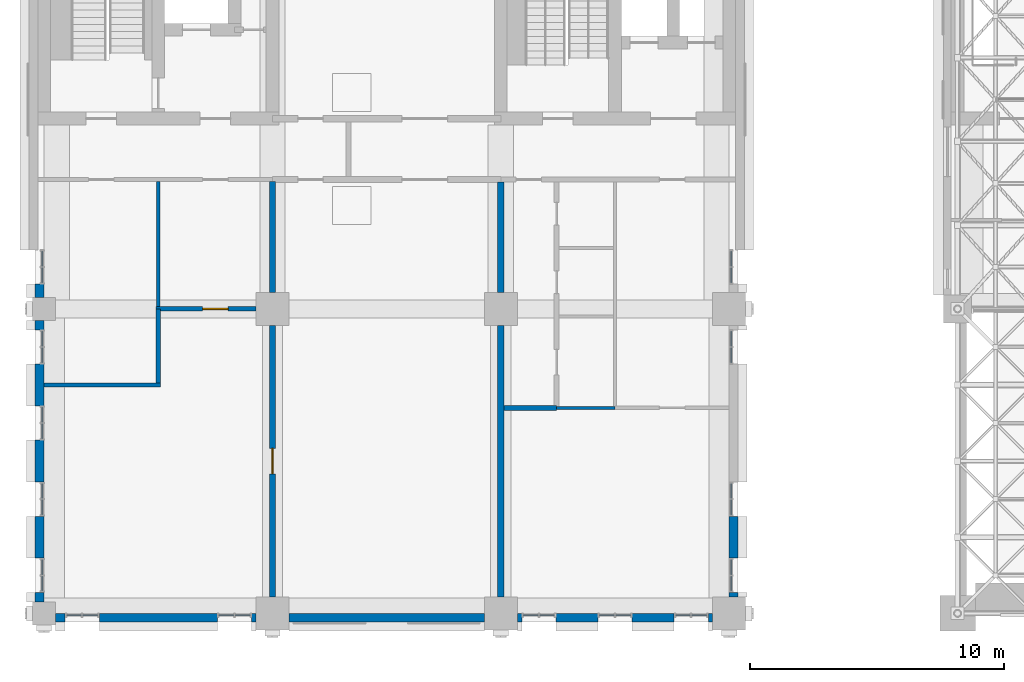
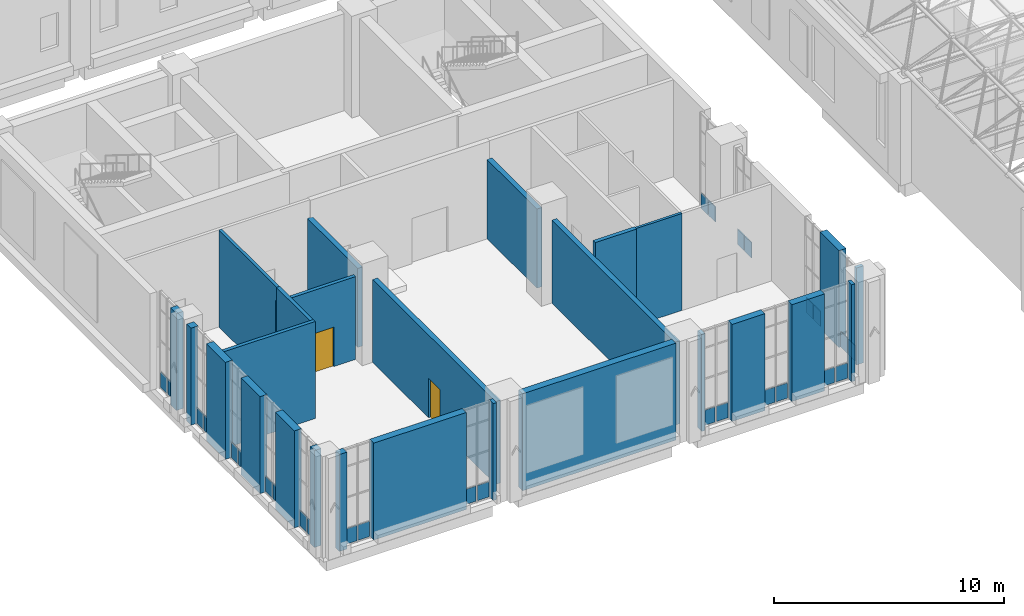
# One storey, part 25 of 53: 28 plates, 26 walls, 2 doors, 2 openings, 14 elements without a shape of their own.
"""IFC4 building model written with IfcOpenShell, lengths in metres."""

from ifc_helpers import new_model, si_unit, direction, frame, frame_2d, origin, origin_2d, place, context, subcontext, project, spatial, rectangle, extrude, material, layer, layer_set, type_object, element, fill, aggregate, save


model = new_model("IFC4")

# Units and contexts
model_context = context("Model", 3, precision=1e-05, world=origin(), true_north=direction((0.0, 1.0)))
body_context = subcontext(model_context, "Body", "Model", "MODEL_VIEW")
ifc_project = project(units=[si_unit("LENGTHUNIT", "METRE"), si_unit("AREAUNIT", "SQUARE_METRE"), si_unit("VOLUMEUNIT", "CUBIC_METRE"), si_unit("PLANEANGLEUNIT", "RADIAN"), si_unit("MASSUNIT", "GRAM", prefix="KILO")], contexts=[model_context])

# Site, building, storey
site_placement = place(None, origin())
site = spatial("IfcSite", under=ifc_project, at=site_placement, CompositionType="ELEMENT")
building_placement = place(site_placement, origin())
building = spatial("IfcBuilding", under=site, at=building_placement, Name="Aurelan Courthouse", CompositionType="ELEMENT")
storey_placement = place(building_placement, frame((0.0, 0.0, 12.0)))
storey = spatial("IfcBuildingStorey", under=building, at=storey_placement, Name="L02", CompositionType="ELEMENT", Elevation=12.0)

# Curtain wall, plates
ifc_material_1 = material(Name="Bronze-finished aluminium and glass", Category="aluminium")
ifc_layer_1 = layer(ifc_material_1, 0.14990234375)
ifc_layer_set_1 = layer_set([ifc_layer_1], Name="Bronze-finished aluminium and glass")
curtain_wall_type = type_object("IfcCurtainWallType", Name="Curtain wall 1350 x 5150", PredefinedType="NOTDEFINED", material=ifc_layer_set_1)
curtain_wall_1_placement = place(storey_placement, origin())
curtain_wall_1 = element("IfcCurtainWall", 1, at=curtain_wall_1_placement, inside=storey, type_object=curtain_wall_type, Name="Curtain wall CW-V5-L02-S01", PredefinedType="NOTDEFINED")
ifc_material_2 = material(Name="Bronze-finished aluminium", Category="aluminium")
ifc_layer_2 = layer(ifc_material_2, 0.0400390625)
ifc_layer_set_2 = layer_set([ifc_layer_2], Name="Bronze-finished aluminium")
plate_type = type_object("IfcPlateType", Name="Sill panel 40", PredefinedType="CURTAIN_PANEL", material=ifc_layer_set_2)
plate_1_placement = place(storey_placement, frame((1.177490234375, -0.074951171875, 0.06005859375), z_axis=(0.0, 0.0, 1.0), x_axis=(1.0, 0.0, 0.0)))
plate_1 = element("IfcPlate", 2, at=plate_1_placement, type_object=plate_type, Name="CW-V5-L02-S01 sill panel 1.1", PredefinedType="CURTAIN_PANEL", context=body_context, shape_type="SweptSolid", body=[
    extrude(rectangle(XDim=0.5849609375, YDim=0.0400390625, at=origin_2d()), origin(), (0.0, 0.0, 1.0), 0.81005859375),
])
plate_2_placement = place(storey_placement, frame((1.822509765625, -0.074951171875, 0.06005859375), z_axis=(0.0, 0.0, 1.0), x_axis=(1.0, 0.0, 0.0)))
plate_2 = element("IfcPlate", 3, at=plate_2_placement, type_object=plate_type, Name="CW-V5-L02-S01 sill panel 2.1", PredefinedType="CURTAIN_PANEL", context=body_context, shape_type="SweptSolid", body=[
    extrude(rectangle(XDim=0.5849609375, YDim=0.0400390625, at=origin_2d()), origin(), (0.0, 0.0, 1.0), 0.81005859375),
])
aggregate(curtain_wall_1, [plate_1, plate_2])

curtain_wall_2_placement = place(storey_placement, origin())
curtain_wall_2 = element("IfcCurtainWall", 4, at=curtain_wall_2_placement, inside=storey, type_object=curtain_wall_type, Name="Curtain wall CW-V5-L02-S02", PredefinedType="NOTDEFINED")
plate_3_placement = place(storey_placement, frame((7.177490234375, -0.074951171875, 0.06005859375), z_axis=(0.0, 0.0, 1.0), x_axis=(1.0, 0.0, 0.0)))
plate_3 = element("IfcPlate", 5, at=plate_3_placement, type_object=plate_type, Name="CW-V5-L02-S02 sill panel 1.1", PredefinedType="CURTAIN_PANEL", context=body_context, shape_type="SweptSolid", body=[
    extrude(rectangle(XDim=0.5849609375, YDim=0.0400390625, at=origin_2d()), origin(), (0.0, 0.0, 1.0), 0.81005859375),
])
plate_4_placement = place(storey_placement, frame((7.822509765625, -0.074951171875, 0.06005859375), z_axis=(0.0, 0.0, 1.0), x_axis=(1.0, 0.0, 0.0)))
plate_4 = element("IfcPlate", 6, at=plate_4_placement, type_object=plate_type, Name="CW-V5-L02-S02 sill panel 2.1", PredefinedType="CURTAIN_PANEL", context=body_context, shape_type="SweptSolid", body=[
    extrude(rectangle(XDim=0.5849609375, YDim=0.0400390625, at=origin_2d()), origin(), (0.0, 0.0, 1.0), 0.81005859375),
])
aggregate(curtain_wall_2, [plate_3, plate_4])

curtain_wall_3_placement = place(storey_placement, origin())
curtain_wall_3 = element("IfcCurtainWall", 7, at=curtain_wall_3_placement, inside=storey, type_object=curtain_wall_type, Name="Curtain wall CW-V5-L02-S03", PredefinedType="NOTDEFINED")
plate_5_placement = place(storey_placement, frame((19.177490234375, -0.074951171875, 0.06005859375), z_axis=(0.0, 0.0, 1.0), x_axis=(1.0, 0.0, 0.0)))
plate_5 = element("IfcPlate", 8, at=plate_5_placement, type_object=plate_type, Name="CW-V5-L02-S03 sill panel 1.1", PredefinedType="CURTAIN_PANEL", context=body_context, shape_type="SweptSolid", body=[
    extrude(rectangle(XDim=0.5849609375, YDim=0.0400390625, at=origin_2d()), origin(), (0.0, 0.0, 1.0), 0.81005859375),
])
plate_6_placement = place(storey_placement, frame((19.822509765625, -0.074951171875, 0.06005859375), z_axis=(0.0, 0.0, 1.0), x_axis=(1.0, 0.0, 0.0)))
plate_6 = element("IfcPlate", 9, at=plate_6_placement, type_object=plate_type, Name="CW-V5-L02-S03 sill panel 2.1", PredefinedType="CURTAIN_PANEL", context=body_context, shape_type="SweptSolid", body=[
    extrude(rectangle(XDim=0.5849609375, YDim=0.0400390625, at=origin_2d()), origin(), (0.0, 0.0, 1.0), 0.81005859375),
])
aggregate(curtain_wall_3, [plate_5, plate_6])

curtain_wall_4_placement = place(storey_placement, origin())
curtain_wall_4 = element("IfcCurtainWall", 10, at=curtain_wall_4_placement, inside=storey, type_object=curtain_wall_type, Name="Curtain wall CW-V5-L02-S04", PredefinedType="NOTDEFINED")
plate_7_placement = place(storey_placement, frame((22.177490234375, -0.074951171875, 0.06005859375), z_axis=(0.0, 0.0, 1.0), x_axis=(1.0, 0.0, 0.0)))
plate_7 = element("IfcPlate", 11, at=plate_7_placement, type_object=plate_type, Name="CW-V5-L02-S04 sill panel 1.1", PredefinedType="CURTAIN_PANEL", context=body_context, shape_type="SweptSolid", body=[
    extrude(rectangle(XDim=0.5849609375, YDim=0.0400390625, at=origin_2d()), origin(), (0.0, 0.0, 1.0), 0.81005859375),
])
plate_8_placement = place(storey_placement, frame((22.822509765625, -0.074951171875, 0.06005859375), z_axis=(0.0, 0.0, 1.0), x_axis=(1.0, 0.0, 0.0)))
plate_8 = element("IfcPlate", 12, at=plate_8_placement, type_object=plate_type, Name="CW-V5-L02-S04 sill panel 2.1", PredefinedType="CURTAIN_PANEL", context=body_context, shape_type="SweptSolid", body=[
    extrude(rectangle(XDim=0.5849609375, YDim=0.0400390625, at=origin_2d()), origin(), (0.0, 0.0, 1.0), 0.81005859375),
])
aggregate(curtain_wall_4, [plate_7, plate_8])

curtain_wall_5_placement = place(storey_placement, origin())
curtain_wall_5 = element("IfcCurtainWall", 13, at=curtain_wall_5_placement, inside=storey, type_object=curtain_wall_type, Name="Curtain wall CW-V5-L02-S05", PredefinedType="NOTDEFINED")
plate_9_placement = place(storey_placement, frame((25.177490234375, -0.074951171875, 0.06005859375), z_axis=(0.0, 0.0, 1.0), x_axis=(1.0, 0.0, 0.0)))
plate_9 = element("IfcPlate", 14, at=plate_9_placement, type_object=plate_type, Name="CW-V5-L02-S05 sill panel 1.1", PredefinedType="CURTAIN_PANEL", context=body_context, shape_type="SweptSolid", body=[
    extrude(rectangle(XDim=0.5849609375, YDim=0.0400390625, at=origin_2d()), origin(), (0.0, 0.0, 1.0), 0.81005859375),
])
plate_10_placement = place(storey_placement, frame((25.822509765625, -0.074951171875, 0.06005859375), z_axis=(0.0, 0.0, 1.0), x_axis=(1.0, 0.0, 0.0)))
plate_10 = element("IfcPlate", 15, at=plate_10_placement, type_object=plate_type, Name="CW-V5-L02-S05 sill panel 2.1", PredefinedType="CURTAIN_PANEL", context=body_context, shape_type="SweptSolid", body=[
    extrude(rectangle(XDim=0.5849609375, YDim=0.0400390625, at=origin_2d()), origin(), (0.0, 0.0, 1.0), 0.81005859375),
])
aggregate(curtain_wall_5, [plate_9, plate_10])

curtain_wall_6_placement = place(storey_placement, origin())
curtain_wall_6 = element("IfcCurtainWall", 16, at=curtain_wall_6_placement, inside=storey, type_object=curtain_wall_type, Name="Curtain wall CW-V5-L02-E01", PredefinedType="NOTDEFINED")
plate_11_placement = place(storey_placement, frame((27.074951171875, 1.177490234375, 0.06005859375), z_axis=(0.0, 0.0, 1.0), x_axis=(0.0, 1.0, 0.0)))
plate_11 = element("IfcPlate", 17, at=plate_11_placement, type_object=plate_type, Name="CW-V5-L02-E01 sill panel 1.1", PredefinedType="CURTAIN_PANEL", context=body_context, shape_type="SweptSolid", body=[
    extrude(rectangle(XDim=0.5849609375, YDim=0.0400390625, at=origin_2d()), origin(), (0.0, 0.0, 1.0), 0.81005859375),
])
plate_12_placement = place(storey_placement, frame((27.074951171875, 1.822509765625, 0.06005859375), z_axis=(0.0, 0.0, 1.0), x_axis=(0.0, 1.0, 0.0)))
plate_12 = element("IfcPlate", 18, at=plate_12_placement, type_object=plate_type, Name="CW-V5-L02-E01 sill panel 2.1", PredefinedType="CURTAIN_PANEL", context=body_context, shape_type="SweptSolid", body=[
    extrude(rectangle(XDim=0.5849609375, YDim=0.0400390625, at=origin_2d()), origin(), (0.0, 0.0, 1.0), 0.81005859375),
])
aggregate(curtain_wall_6, [plate_11, plate_12])

curtain_wall_7_placement = place(storey_placement, origin())
curtain_wall_7 = element("IfcCurtainWall", 19, at=curtain_wall_7_placement, inside=storey, type_object=curtain_wall_type, Name="Curtain wall CW-V5-L02-E02", PredefinedType="NOTDEFINED")
plate_13_placement = place(storey_placement, frame((27.074951171875, 4.177490234375, 0.06005859375), z_axis=(0.0, 0.0, 1.0), x_axis=(0.0, 1.0, 0.0)))
plate_13 = element("IfcPlate", 20, at=plate_13_placement, type_object=plate_type, Name="CW-V5-L02-E02 sill panel 1.1", PredefinedType="CURTAIN_PANEL", context=body_context, shape_type="SweptSolid", body=[
    extrude(rectangle(XDim=0.5849609375, YDim=0.0400390625, at=origin_2d()), origin(), (0.0, 0.0, 1.0), 0.81005859375),
])
plate_14_placement = place(storey_placement, frame((27.074951171875, 4.822509765625, 0.06005859375), z_axis=(0.0, 0.0, 1.0), x_axis=(0.0, 1.0, 0.0)))
plate_14 = element("IfcPlate", 21, at=plate_14_placement, type_object=plate_type, Name="CW-V5-L02-E02 sill panel 2.1", PredefinedType="CURTAIN_PANEL", context=body_context, shape_type="SweptSolid", body=[
    extrude(rectangle(XDim=0.5849609375, YDim=0.0400390625, at=origin_2d()), origin(), (0.0, 0.0, 1.0), 0.81005859375),
])
aggregate(curtain_wall_7, [plate_13, plate_14])

curtain_wall_8_placement = place(storey_placement, origin())
curtain_wall_8 = element("IfcCurtainWall", 22, at=curtain_wall_8_placement, inside=storey, type_object=curtain_wall_type, Name="Curtain wall CW-V5-L02-E03", PredefinedType="NOTDEFINED")
plate_15_placement = place(storey_placement, frame((27.074951171875, 10.177490234375, 0.06005859375), z_axis=(0.0, 0.0, 1.0), x_axis=(0.0, 1.0, 0.0)))
plate_15 = element("IfcPlate", 23, at=plate_15_placement, type_object=plate_type, Name="CW-V5-L02-E03 sill panel 1.1", PredefinedType="CURTAIN_PANEL", context=body_context, shape_type="SweptSolid", body=[
    extrude(rectangle(XDim=0.5849609375, YDim=0.0400390625, at=origin_2d()), origin(), (0.0, 0.0, 1.0), 0.81005859375),
])
plate_16_placement = place(storey_placement, frame((27.074951171875, 10.822509765625, 0.06005859375), z_axis=(0.0, 0.0, 1.0), x_axis=(0.0, 1.0, 0.0)))
plate_16 = element("IfcPlate", 24, at=plate_16_placement, type_object=plate_type, Name="CW-V5-L02-E03 sill panel 2.1", PredefinedType="CURTAIN_PANEL", context=body_context, shape_type="SweptSolid", body=[
    extrude(rectangle(XDim=0.5849609375, YDim=0.0400390625, at=origin_2d()), origin(), (0.0, 0.0, 1.0), 0.81005859375),
])
aggregate(curtain_wall_8, [plate_15, plate_16])

curtain_wall_9_placement = place(storey_placement, origin())
curtain_wall_9 = element("IfcCurtainWall", 25, at=curtain_wall_9_placement, inside=storey, type_object=curtain_wall_type, Name="Curtain wall CW-V5-L02-E04", PredefinedType="NOTDEFINED")
plate_17_placement = place(storey_placement, frame((27.074951171875, 13.327392578125, 0.06005859375), z_axis=(0.0, 0.0, 1.0), x_axis=(0.0, 1.0, 0.0)))
plate_17 = element("IfcPlate", 26, at=plate_17_placement, type_object=plate_type, Name="CW-V5-L02-E04 sill panel 1.1", PredefinedType="CURTAIN_PANEL", context=body_context, shape_type="SweptSolid", body=[
    extrude(rectangle(XDim=0.5849609375, YDim=0.0400390625, at=origin_2d()), origin(), (0.0, 0.0, 1.0), 0.81005859375),
])
plate_18_placement = place(storey_placement, frame((27.074951171875, 13.972412109375, 0.06005859375), z_axis=(0.0, 0.0, 1.0), x_axis=(0.0, 1.0, 0.0)))
plate_18 = element("IfcPlate", 27, at=plate_18_placement, type_object=plate_type, Name="CW-V5-L02-E04 sill panel 2.1", PredefinedType="CURTAIN_PANEL", context=body_context, shape_type="SweptSolid", body=[
    extrude(rectangle(XDim=0.5849609375, YDim=0.0400390625, at=origin_2d()), origin(), (0.0, 0.0, 1.0), 0.81005859375),
])
aggregate(curtain_wall_9, [plate_17, plate_18])

curtain_wall_10_placement = place(storey_placement, origin())
curtain_wall_10 = element("IfcCurtainWall", 28, at=curtain_wall_10_placement, inside=storey, type_object=curtain_wall_type, Name="Curtain wall CW-V5-L02-W01", PredefinedType="NOTDEFINED")
plate_19_placement = place(storey_placement, frame((-0.074951171875, 1.177490234375, 0.06005859375), z_axis=(0.0, 0.0, 1.0), x_axis=(0.0, 1.0, 0.0)))
plate_19 = element("IfcPlate", 29, at=plate_19_placement, type_object=plate_type, Name="CW-V5-L02-W01 sill panel 1.1", PredefinedType="CURTAIN_PANEL", context=body_context, shape_type="SweptSolid", body=[
    extrude(rectangle(XDim=0.5849609375, YDim=0.0400390625, at=origin_2d()), origin(), (0.0, 0.0, 1.0), 0.81005859375),
])
plate_20_placement = place(storey_placement, frame((-0.074951171875, 1.822509765625, 0.06005859375), z_axis=(0.0, 0.0, 1.0), x_axis=(0.0, 1.0, 0.0)))
plate_20 = element("IfcPlate", 30, at=plate_20_placement, type_object=plate_type, Name="CW-V5-L02-W01 sill panel 2.1", PredefinedType="CURTAIN_PANEL", context=body_context, shape_type="SweptSolid", body=[
    extrude(rectangle(XDim=0.5849609375, YDim=0.0400390625, at=origin_2d()), origin(), (0.0, 0.0, 1.0), 0.81005859375),
])
aggregate(curtain_wall_10, [plate_19, plate_20])

curtain_wall_11_placement = place(storey_placement, origin())
curtain_wall_11 = element("IfcCurtainWall", 31, at=curtain_wall_11_placement, inside=storey, type_object=curtain_wall_type, Name="Curtain wall CW-V5-L02-W02", PredefinedType="NOTDEFINED")
plate_21_placement = place(storey_placement, frame((-0.074951171875, 4.177490234375, 0.06005859375), z_axis=(0.0, 0.0, 1.0), x_axis=(0.0, 1.0, 0.0)))
plate_21 = element("IfcPlate", 32, at=plate_21_placement, type_object=plate_type, Name="CW-V5-L02-W02 sill panel 1.1", PredefinedType="CURTAIN_PANEL", context=body_context, shape_type="SweptSolid", body=[
    extrude(rectangle(XDim=0.5849609375, YDim=0.0400390625, at=origin_2d()), origin(), (0.0, 0.0, 1.0), 0.81005859375),
])
plate_22_placement = place(storey_placement, frame((-0.074951171875, 4.822509765625, 0.06005859375), z_axis=(0.0, 0.0, 1.0), x_axis=(0.0, 1.0, 0.0)))
plate_22 = element("IfcPlate", 33, at=plate_22_placement, type_object=plate_type, Name="CW-V5-L02-W02 sill panel 2.1", PredefinedType="CURTAIN_PANEL", context=body_context, shape_type="SweptSolid", body=[
    extrude(rectangle(XDim=0.5849609375, YDim=0.0400390625, at=origin_2d()), origin(), (0.0, 0.0, 1.0), 0.81005859375),
])
aggregate(curtain_wall_11, [plate_21, plate_22])

curtain_wall_12_placement = place(storey_placement, origin())
curtain_wall_12 = element("IfcCurtainWall", 34, at=curtain_wall_12_placement, inside=storey, type_object=curtain_wall_type, Name="Curtain wall CW-V5-L02-W03", PredefinedType="NOTDEFINED")
plate_23_placement = place(storey_placement, frame((-0.074951171875, 7.177490234375, 0.06005859375), z_axis=(0.0, 0.0, 1.0), x_axis=(0.0, 1.0, 0.0)))
plate_23 = element("IfcPlate", 35, at=plate_23_placement, type_object=plate_type, Name="CW-V5-L02-W03 sill panel 1.1", PredefinedType="CURTAIN_PANEL", context=body_context, shape_type="SweptSolid", body=[
    extrude(rectangle(XDim=0.5849609375, YDim=0.0400390625, at=origin_2d()), origin(), (0.0, 0.0, 1.0), 0.81005859375),
])
plate_24_placement = place(storey_placement, frame((-0.074951171875, 7.822509765625, 0.06005859375), z_axis=(0.0, 0.0, 1.0), x_axis=(0.0, 1.0, 0.0)))
plate_24 = element("IfcPlate", 36, at=plate_24_placement, type_object=plate_type, Name="CW-V5-L02-W03 sill panel 2.1", PredefinedType="CURTAIN_PANEL", context=body_context, shape_type="SweptSolid", body=[
    extrude(rectangle(XDim=0.5849609375, YDim=0.0400390625, at=origin_2d()), origin(), (0.0, 0.0, 1.0), 0.81005859375),
])
aggregate(curtain_wall_12, [plate_23, plate_24])

curtain_wall_13_placement = place(storey_placement, origin())
curtain_wall_13 = element("IfcCurtainWall", 37, at=curtain_wall_13_placement, inside=storey, type_object=curtain_wall_type, Name="Curtain wall CW-V5-L02-W04", PredefinedType="NOTDEFINED")
plate_25_placement = place(storey_placement, frame((-0.074951171875, 10.177490234375, 0.06005859375), z_axis=(0.0, 0.0, 1.0), x_axis=(0.0, 1.0, 0.0)))
plate_25 = element("IfcPlate", 38, at=plate_25_placement, type_object=plate_type, Name="CW-V5-L02-W04 sill panel 1.1", PredefinedType="CURTAIN_PANEL", context=body_context, shape_type="SweptSolid", body=[
    extrude(rectangle(XDim=0.5849609375, YDim=0.0400390625, at=origin_2d()), origin(), (0.0, 0.0, 1.0), 0.81005859375),
])
plate_26_placement = place(storey_placement, frame((-0.074951171875, 10.822509765625, 0.06005859375), z_axis=(0.0, 0.0, 1.0), x_axis=(0.0, 1.0, 0.0)))
plate_26 = element("IfcPlate", 39, at=plate_26_placement, type_object=plate_type, Name="CW-V5-L02-W04 sill panel 2.1", PredefinedType="CURTAIN_PANEL", context=body_context, shape_type="SweptSolid", body=[
    extrude(rectangle(XDim=0.5849609375, YDim=0.0400390625, at=origin_2d()), origin(), (0.0, 0.0, 1.0), 0.81005859375),
])
aggregate(curtain_wall_13, [plate_25, plate_26])

curtain_wall_14_placement = place(storey_placement, origin())
curtain_wall_14 = element("IfcCurtainWall", 40, at=curtain_wall_14_placement, inside=storey, type_object=curtain_wall_type, Name="Curtain wall CW-V5-L02-W05", PredefinedType="NOTDEFINED")
plate_27_placement = place(storey_placement, frame((-0.074951171875, 13.327392578125, 0.06005859375), z_axis=(0.0, 0.0, 1.0), x_axis=(0.0, 1.0, 0.0)))
plate_27 = element("IfcPlate", 41, at=plate_27_placement, type_object=plate_type, Name="CW-V5-L02-W05 sill panel 1.1", PredefinedType="CURTAIN_PANEL", context=body_context, shape_type="SweptSolid", body=[
    extrude(rectangle(XDim=0.5849609375, YDim=0.0400390625, at=origin_2d()), origin(), (0.0, 0.0, 1.0), 0.81005859375),
])
plate_28_placement = place(storey_placement, frame((-0.074951171875, 13.972412109375, 0.06005859375), z_axis=(0.0, 0.0, 1.0), x_axis=(0.0, 1.0, 0.0)))
plate_28 = element("IfcPlate", 42, at=plate_28_placement, type_object=plate_type, Name="CW-V5-L02-W05 sill panel 2.1", PredefinedType="CURTAIN_PANEL", context=body_context, shape_type="SweptSolid", body=[
    extrude(rectangle(XDim=0.5849609375, YDim=0.0400390625, at=origin_2d()), origin(), (0.0, 0.0, 1.0), 0.81005859375),
])
aggregate(curtain_wall_14, [plate_27, plate_28])

# Wall
ifc_material_3 = material(Name="Gypsum board on metal studs")
ifc_layer_3 = layer(ifc_material_3, 0.175048828125)
ifc_layer_set_3 = layer_set([ifc_layer_3], Name="Gypsum board on metal studs")
wall_type_1 = type_object("IfcWallType", Name="Chambers acoustic partition 175 NOT RATED", PredefinedType="PARTITIONING", material=ifc_layer_set_3)
wall_1_placement = place(storey_placement, frame((0.0, 9.0, 0.0), z_axis=(0.0, 0.0, 1.0), x_axis=(1.0, 0.0, 0.0)))
element("IfcWall", 43, at=wall_1_placement, inside=storey, type_object=wall_type_1, Name="Chambers acoustic partition L02-004", PredefinedType="PARTITIONING", context=body_context, shape_type="SweptSolid", body=[
    extrude(rectangle(XDim=4.58740234375, YDim=0.175048828125, at=frame_2d((2.293701171875, 0.0))), origin(), (0.0, 0.0, 1.0), 5.14990234375),
])

# Wall, opening, door
wall_2_placement = place(storey_placement, frame((4.41259765625, 12.0, 0.0), z_axis=(0.0, 0.0, 1.0), x_axis=(1.0, 0.0, 0.0)))
wall_2 = element("IfcWall", 44, at=wall_2_placement, inside=storey, type_object=wall_type_1, Name="Chambers acoustic partition L02-006", PredefinedType="PARTITIONING", context=body_context, shape_type="SweptSolid", body=[
    extrude(rectangle(XDim=3.9375, YDim=0.175048828125, at=frame_2d((1.96875, 0.0))), origin(), (0.0, 0.0, 1.0), 4.39990234375),
])
opening_1_placement = place(wall_2_placement, frame((1.83740234375, 0.0, 0.0)))
opening_1 = element("IfcOpeningElement", 45, at=opening_1_placement, cuts=wall_2, Name="Opening D-L02-065", PredefinedType="OPENING", context=body_context, shape_type="SweptSolid", body=[
    extrude(rectangle(XDim=1.0, YDim=2.10009765625, at=frame_2d((0.5, 1.050048828125))), frame((0.0, 0.097412109375, 0.0), z_axis=(0.0, -1.0, 0.0), x_axis=(1.0, 0.0, 0.0)), (0.0, 0.0, 1.0), 0.195068359375),
])
ifc_material_4 = material(Name="Timber", Category="wood")
door_type_1 = type_object("IfcDoorType", Name="Single door 1000 x 2100 NOT RATED", OperationType="SINGLE_SWING_LEFT", PredefinedType="DOOR", material=ifc_material_4)
door_1_placement = place(opening_1_placement, origin())
door_1 = element("IfcDoor", 46, at=door_1_placement, inside=storey, type_object=door_type_1, Name="Single door D-L02-065", OperationType="SINGLE_SWING_RIGHT", OverallHeight=2.10009765625, OverallWidth=1.0, PredefinedType="DOOR", context=body_context, shape_type="SweptSolid", body=[
    extrude(rectangle(XDim=1.0, YDim=2.10009765625, at=frame_2d((0.5, 1.050048828125))), frame((0.0, 0.02490234375, 0.0), z_axis=(0.0, -1.0, 0.0), x_axis=(1.0, 0.0, 0.0)), (0.0, 0.0, 1.0), 0.050048828125),
])
fill(opening_1, door_1)

# Wall
wall_3_placement = place(storey_placement, frame((4.5, 9.08740234375, 0.0), z_axis=(0.0, 0.0, 1.0), x_axis=(0.0, 1.0, 0.0)))
element("IfcWall", 47, at=wall_3_placement, inside=storey, type_object=wall_type_1, Name="Chambers acoustic partition L02-052", PredefinedType="PARTITIONING", context=body_context, shape_type="SweptSolid", body=[
    extrude(rectangle(XDim=2.91259765625, YDim=0.175048828125, at=frame_2d((1.456298828125, 0.0))), origin(), (0.0, 0.0, 1.0), 5.14990234375),
])

# Wall, opening, door
ifc_material_5 = material(Name="Masonry block", Category="masonry")
ifc_layer_4 = layer(ifc_material_5, 0.25)
ifc_layer_set_4 = layer_set([ifc_layer_4], Name="Masonry block")
wall_type_2 = type_object("IfcWallType", Name="Courtroom wall 250 EI 60", PredefinedType="PARTITIONING", material=ifc_layer_set_4)
wall_4_placement = place(storey_placement, frame((9.0, 0.64990234375, 0.0), z_axis=(0.0, 0.0, 1.0), x_axis=(0.0, 1.0, 0.0)))
wall_4 = element("IfcWall", 48, at=wall_4_placement, inside=storey, type_object=wall_type_2, Name="Courtroom wall L02-054", PredefinedType="PARTITIONING", context=body_context, shape_type="SweptSolid", body=[
    extrude(rectangle(XDim=10.7001953125, YDim=0.25, at=frame_2d((5.35009765625, 0.0))), origin(), (0.0, 0.0, 1.0), 4.39990234375),
])
opening_2_placement = place(wall_4_placement, frame((5.85009765625, 0.0, 0.0), z_axis=(0.0, 0.0, 1.0), x_axis=(-1.0, 0.0, 0.0)))
opening_2 = element("IfcOpeningElement", 49, at=opening_2_placement, cuts=wall_4, Name="Opening D-L02-066", PredefinedType="OPENING", context=body_context, shape_type="SweptSolid", body=[
    extrude(rectangle(XDim=1.0, YDim=2.10009765625, at=frame_2d((0.5, 1.050048828125))), frame((0.0, 0.135009765625, 0.0), z_axis=(0.0, -1.0, 0.0), x_axis=(1.0, 0.0, 0.0)), (0.0, 0.0, 1.0), 0.27001953125),
])
ifc_material_6 = material(Name="Steel", Category="steel")
door_type_2 = type_object("IfcDoorType", Name="Single door 1000 x 2100 FD30", OperationType="SINGLE_SWING_LEFT", PredefinedType="DOOR", material=ifc_material_6)
door_2_placement = place(opening_2_placement, origin())
door_2 = element("IfcDoor", 50, at=door_2_placement, inside=storey, type_object=door_type_2, Name="Single door D-L02-066", OperationType="SINGLE_SWING_RIGHT", OverallHeight=2.10009765625, OverallWidth=1.0, PredefinedType="DOOR", context=body_context, shape_type="SweptSolid", body=[
    extrude(rectangle(XDim=1.0, YDim=2.10009765625, at=frame_2d((0.5, 1.050048828125))), frame((0.0, 0.02490234375, 0.0), z_axis=(0.0, -1.0, 0.0), x_axis=(1.0, 0.0, 0.0)), (0.0, 0.0, 1.0), 0.050048828125),
])
fill(opening_2, door_2)

# Walls
wall_5_placement = place(storey_placement, frame((9.0, 12.64990234375, 0.0), z_axis=(0.0, 0.0, 1.0), x_axis=(0.0, 1.0, 0.0)))
element("IfcWall", 51, at=wall_5_placement, inside=storey, type_object=wall_type_2, Name="Courtroom wall L02-055", PredefinedType="PARTITIONING", context=body_context, shape_type="SweptSolid", body=[
    extrude(rectangle(XDim=4.375, YDim=0.25, at=frame_2d((2.1875, 0.0))), origin(), (0.0, 0.0, 1.0), 4.199951171875),
])
wall_6_placement = place(storey_placement, frame((18.0, 0.64990234375, 0.0), z_axis=(0.0, 0.0, 1.0), x_axis=(0.0, 1.0, 0.0)))
element("IfcWall", 52, at=wall_6_placement, inside=storey, type_object=wall_type_2, Name="Courtroom wall L02-061", PredefinedType="PARTITIONING", context=body_context, shape_type="SweptSolid", body=[
    extrude(rectangle(XDim=10.7001953125, YDim=0.25, at=frame_2d((5.35009765625, 0.0))), origin(), (0.0, 0.0, 1.0), 4.39990234375),
])
wall_7_placement = place(storey_placement, frame((18.0, 12.64990234375, 0.0), z_axis=(0.0, 0.0, 1.0), x_axis=(0.0, 1.0, 0.0)))
element("IfcWall", 53, at=wall_7_placement, inside=storey, type_object=wall_type_2, Name="Courtroom wall L02-062", PredefinedType="PARTITIONING", context=body_context, shape_type="SweptSolid", body=[
    extrude(rectangle(XDim=4.35009765625, YDim=0.25, at=frame_2d((2.175048828125, 0.0))), origin(), (0.0, 0.0, 1.0), 4.199951171875),
])
ifc_material_7 = material(Name="Limestone cladding", Category="masonry")
ifc_layer_5 = layer(ifc_material_7, 0.10009765625, Name="Facing")
ifc_material_8 = material(Name="Ventilated cavity")
ifc_layer_6 = layer(ifc_material_8, 0.02490234375, ventilated=True, Name="Ventilated cavity")
ifc_material_9 = material(Name="Mineral wool insulation")
ifc_layer_7 = layer(ifc_material_9, 0.050048828125, Name="Insulation")
ifc_material_10 = material(Name="Concrete C30", Category="concrete")
ifc_layer_8 = layer(ifc_material_10, 0.175048828125, Name="Structure")
ifc_layer_set_5 = layer_set([ifc_layer_5, ifc_layer_6, ifc_layer_7, ifc_layer_8], Name="Concrete C30")
wall_type_3 = type_object("IfcWallType", Name="Courts' Floors stone-faced wall 350", PredefinedType="SOLIDWALL", material=ifc_layer_set_5)
wall_8_placement = place(storey_placement, frame((0.449951171875, -0.175048828125, 0.0), z_axis=(0.0, 0.0, 1.0), x_axis=(1.0, 0.0, 0.0)))
element("IfcWall", 54, at=wall_8_placement, inside=storey, type_object=wall_type_3, Name="Facade wall FW-V5-L02-001", PredefinedType="SOLIDWALL", context=body_context, shape_type="SweptSolid", body=[
    extrude(rectangle(XDim=0.375, YDim=0.35009765625, at=frame_2d((0.1875, 0.0))), origin(), (0.0, 0.0, 1.0), 5.14990234375),
])
wall_9_placement = place(storey_placement, frame((2.175048828125, -0.175048828125, 0.0), z_axis=(0.0, 0.0, 1.0), x_axis=(1.0, 0.0, 0.0)))
element("IfcWall", 55, at=wall_9_placement, inside=storey, type_object=wall_type_3, Name="Facade wall FW-V5-L02-002", PredefinedType="SOLIDWALL", context=body_context, shape_type="SweptSolid", body=[
    extrude(rectangle(XDim=4.64990234375, YDim=0.35009765625, at=frame_2d((2.324951171875, 0.0))), origin(), (0.0, 0.0, 1.0), 5.14990234375),
])
wall_10_placement = place(storey_placement, frame((8.175048828125, -0.175048828125, 0.0), z_axis=(0.0, 0.0, 1.0), x_axis=(1.0, 0.0, 0.0)))
element("IfcWall", 56, at=wall_10_placement, inside=storey, type_object=wall_type_3, Name="Facade wall FW-V5-L02-003", PredefinedType="SOLIDWALL", context=body_context, shape_type="SweptSolid", body=[
    extrude(rectangle(XDim=0.175048828125, YDim=0.35009765625, at=frame_2d((0.08740234375, 0.0))), origin(), (0.0, 0.0, 1.0), 5.14990234375),
])
wall_11_placement = place(storey_placement, frame((9.64990234375, -0.175048828125, 0.0), z_axis=(0.0, 0.0, 1.0), x_axis=(1.0, 0.0, 0.0)))
element("IfcWall", 57, at=wall_11_placement, inside=storey, type_object=wall_type_3, Name="Facade wall FW-V5-L02-004", PredefinedType="SOLIDWALL", context=body_context, shape_type="SweptSolid", body=[
    extrude(rectangle(XDim=7.7001953125, YDim=0.35009765625, at=frame_2d((3.85009765625, 0.0))), origin(), (0.0, 0.0, 1.0), 5.14990234375),
])
wall_12_placement = place(storey_placement, frame((18.64990234375, -0.175048828125, 0.0), z_axis=(0.0, 0.0, 1.0), x_axis=(1.0, 0.0, 0.0)))
element("IfcWall", 58, at=wall_12_placement, inside=storey, type_object=wall_type_3, Name="Facade wall FW-V5-L02-005", PredefinedType="SOLIDWALL", context=body_context, shape_type="SweptSolid", body=[
    extrude(rectangle(XDim=0.175048828125, YDim=0.35009765625, at=frame_2d((0.08740234375, 0.0))), origin(), (0.0, 0.0, 1.0), 5.14990234375),
])
for number, where, z_axis, x_axis, name in (
    (59, (20.175048828125, -0.175048828125, 0.0), (0.0, 0.0, 1.0), (1.0, 0.0, 0.0), "Facade wall FW-V5-L02-006"),
    (60, (23.175048828125, -0.175048828125, 0.0), (0.0, 0.0, 1.0), (1.0, 0.0, 0.0), "Facade wall FW-V5-L02-007"),
):
    element("IfcWall", number, at=place(storey_placement, frame(where, z_axis=z_axis, x_axis=x_axis)), inside=storey, type_object=wall_type_3, Name=name, PredefinedType="SOLIDWALL", context=body_context, shape_type="SweptSolid", body=[
        extrude(rectangle(XDim=1.64990234375, YDim=0.35009765625, at=frame_2d((0.824951171875, 0.0))), origin(), (0.0, 0.0, 1.0), 5.14990234375),
    ])
for number, where, z_axis, x_axis, name in (
    (61, (26.175048828125, -0.175048828125, 0.0), (0.0, 0.0, 1.0), (1.0, 0.0, 0.0), "Facade wall FW-V5-L02-008"),
    (62, (27.175048828125, 0.64990234375, 0.0), (0.0, 0.0, 1.0), (0.0, 1.0, 0.0), "Facade wall FW-V5-L02-012"),
):
    element("IfcWall", number, at=place(storey_placement, frame(where, z_axis=z_axis, x_axis=x_axis)), inside=storey, type_object=wall_type_3, Name=name, PredefinedType="SOLIDWALL", context=body_context, shape_type="SweptSolid", body=[
        extrude(rectangle(XDim=0.175048828125, YDim=0.35009765625, at=frame_2d((0.08740234375, 0.0))), origin(), (0.0, 0.0, 1.0), 5.14990234375),
    ])
wall_13_placement = place(storey_placement, frame((27.175048828125, 2.175048828125, 0.0), z_axis=(0.0, 0.0, 1.0), x_axis=(0.0, 1.0, 0.0)))
element("IfcWall", 63, at=wall_13_placement, inside=storey, type_object=wall_type_3, Name="Facade wall FW-V5-L02-013", PredefinedType="SOLIDWALL", context=body_context, shape_type="SweptSolid", body=[
    extrude(rectangle(XDim=1.64990234375, YDim=0.35009765625, at=frame_2d((0.824951171875, 0.0))), origin(), (0.0, 0.0, 1.0), 5.14990234375),
])
wall_14_placement = place(storey_placement, frame((-0.175048828125, 0.449951171875, 0.0), z_axis=(0.0, 0.0, 1.0), x_axis=(0.0, 1.0, 0.0)))
element("IfcWall", 64, at=wall_14_placement, inside=storey, type_object=wall_type_3, Name="Facade wall FW-V5-L02-018", PredefinedType="SOLIDWALL", context=body_context, shape_type="SweptSolid", body=[
    extrude(rectangle(XDim=0.375, YDim=0.35009765625, at=frame_2d((0.1875, 0.0))), origin(), (0.0, 0.0, 1.0), 5.14990234375),
])
for number, where, z_axis, x_axis, name in (
    (65, (-0.175048828125, 2.175048828125, 0.0), (0.0, 0.0, 1.0), (0.0, 1.0, 0.0), "Facade wall FW-V5-L02-019"),
    (66, (-0.175048828125, 5.175048828125, 0.0), (0.0, 0.0, 1.0), (0.0, 1.0, 0.0), "Facade wall FW-V5-L02-020"),
    (67, (-0.175048828125, 8.175048828125, 0.0), (0.0, 0.0, 1.0), (0.0, 1.0, 0.0), "Facade wall FW-V5-L02-021"),
):
    element("IfcWall", number, at=place(storey_placement, frame(where, z_axis=z_axis, x_axis=x_axis)), inside=storey, type_object=wall_type_3, Name=name, PredefinedType="SOLIDWALL", context=body_context, shape_type="SweptSolid", body=[
        extrude(rectangle(XDim=1.64990234375, YDim=0.35009765625, at=frame_2d((0.824951171875, 0.0))), origin(), (0.0, 0.0, 1.0), 5.14990234375),
    ])
wall_15_placement = place(storey_placement, frame((-0.175048828125, 11.175048828125, 0.0), z_axis=(0.0, 0.0, 1.0), x_axis=(0.0, 1.0, 0.0)))
element("IfcWall", 68, at=wall_15_placement, inside=storey, type_object=wall_type_3, Name="Facade wall FW-V5-L02-022", PredefinedType="SOLIDWALL", context=body_context, shape_type="SweptSolid", body=[
    extrude(rectangle(XDim=0.375, YDim=0.35009765625, at=frame_2d((0.1875, 0.0))), origin(), (0.0, 0.0, 1.0), 5.14990234375),
])
wall_16_placement = place(storey_placement, frame((-0.175048828125, 12.449951171875, 0.0), z_axis=(0.0, 0.0, 1.0), x_axis=(0.0, 1.0, 0.0)))
element("IfcWall", 69, at=wall_16_placement, inside=storey, type_object=wall_type_3, Name="Facade wall FW-V5-L02-023", PredefinedType="SOLIDWALL", context=body_context, shape_type="SweptSolid", body=[
    extrude(rectangle(XDim=0.525146484375, YDim=0.35009765625, at=frame_2d((0.2626953125, 0.0))), origin(), (0.0, 0.0, 1.0), 5.14990234375),
])
ifc_layer_9 = layer(ifc_material_5, 0.199951171875)
ifc_layer_set_6 = layer_set([ifc_layer_9], Name="Masonry block")
wall_type_4 = type_object("IfcWallType", Name="Lift lobby wall 200 EI 60", PredefinedType="PARTITIONING", material=ifc_layer_set_6)
wall_17_placement = place(storey_placement, frame((18.125, 8.10009765625, 0.0), z_axis=(0.0, 0.0, 1.0), x_axis=(1.0, 0.0, 0.0)))
element("IfcWall", 70, at=wall_17_placement, inside=storey, type_object=wall_type_4, Name="Lift lobby wall L02-001", PredefinedType="PARTITIONING", context=body_context, shape_type="SweptSolid", body=[
    extrude(rectangle(XDim=2.074951171875, YDim=0.199951171875, at=frame_2d((1.03759765625, 0.0))), origin(), (0.0, 0.0, 1.0), 5.14990234375),
])
ifc_layer_10 = layer(ifc_material_3, 0.14990234375)
ifc_layer_set_7 = layer_set([ifc_layer_10], Name="Gypsum board on metal studs")
wall_type_5 = type_object("IfcWallType", Name="Partition 150 NOT RATED", PredefinedType="PARTITIONING", material=ifc_layer_set_7)
wall_18_placement = place(storey_placement, frame((4.5, 12.0, 0.0), z_axis=(0.0, 0.0, 1.0), x_axis=(0.0, 1.0, 0.0)))
element("IfcWall", 71, at=wall_18_placement, inside=storey, type_object=wall_type_5, Name="Partition L02-053", PredefinedType="PARTITIONING", context=body_context, shape_type="SweptSolid", body=[
    extrude(rectangle(XDim=5.02490234375, YDim=0.14990234375, at=frame_2d((2.512451171875, 0.0))), origin(), (0.0, 0.0, 1.0), 5.14990234375),
])
ifc_material_11 = material(Name="Moisture-resistant board on metal studs")
ifc_layer_11 = layer(ifc_material_11, 0.125)
ifc_layer_set_8 = layer_set([ifc_layer_11], Name="Moisture-resistant board on metal studs")
wall_type_6 = type_object("IfcWallType", Name="Wet-area partition 125 NOT RATED", PredefinedType="PARTITIONING", material=ifc_layer_set_8)
wall_19_placement = place(storey_placement, frame((20.199951171875, 8.10009765625, 0.0), z_axis=(0.0, 0.0, 1.0), x_axis=(1.0, 0.0, 0.0)))
element("IfcWall", 72, at=wall_19_placement, inside=storey, type_object=wall_type_6, Name="Wet-area partition L02-002", PredefinedType="PARTITIONING", context=body_context, shape_type="SweptSolid", body=[
    extrude(rectangle(XDim=2.300048828125, YDim=0.125, at=frame_2d((1.14990234375, 0.0))), origin(), (0.0, 0.0, 1.0), 5.14990234375),
])

save(model, "model.ifc")
